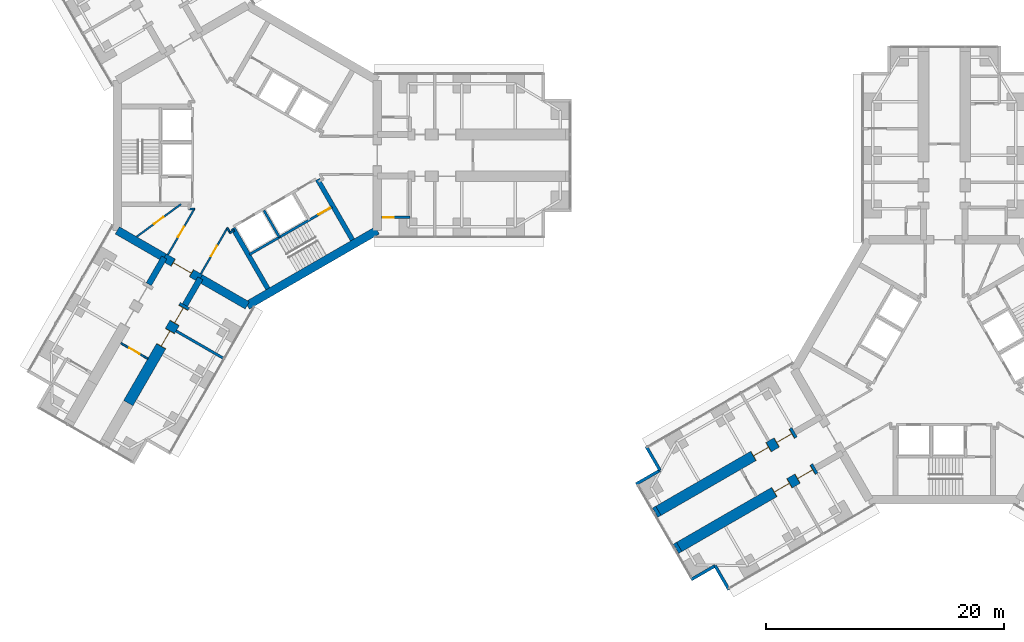
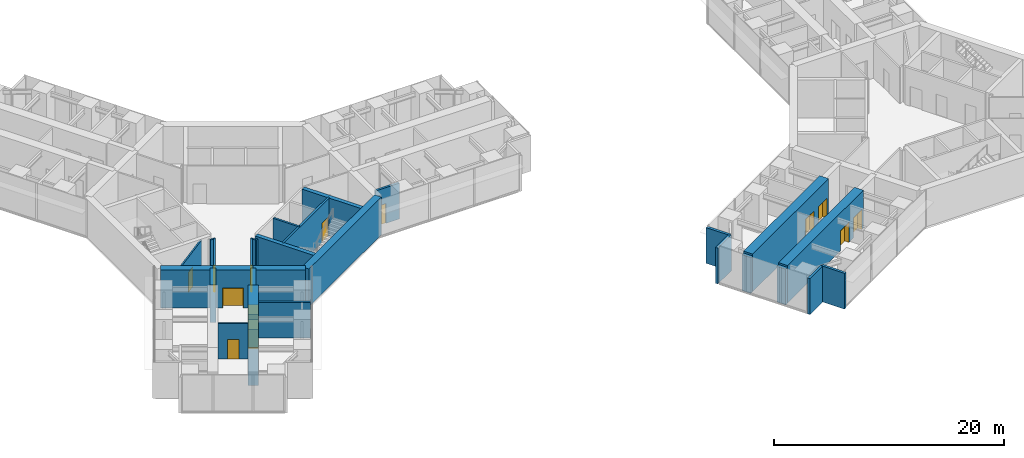
# One storey, part 16 of 23: 28 walls, 13 doors, 13 openings.
"""IFC4 building model written with IfcOpenShell, lengths in metres."""

from ifc_helpers import new_model, si_unit, direction, frame, frame_2d, origin, place, context, subcontext, project, spatial, rectangle, extrude, material, layer, layer_set, type_object, element, fill, save


model = new_model("IFC4")

# Units and contexts
model_context = context("Model", 3, precision=1e-05, world=origin(), true_north=direction((0.0, 1.0)))
body_context = subcontext(model_context, "Body", "Model", "MODEL_VIEW")
ifc_project = project(units=[si_unit("LENGTHUNIT", "METRE"), si_unit("AREAUNIT", "SQUARE_METRE"), si_unit("VOLUMEUNIT", "CUBIC_METRE"), si_unit("PLANEANGLEUNIT", "RADIAN"), si_unit("MASSUNIT", "GRAM", prefix="KILO")], contexts=[model_context])

# Site, building, storey
site_placement = place(None, origin())
site = spatial("IfcSite", under=ifc_project, at=site_placement, CompositionType="ELEMENT")
building_placement = place(site_placement, origin())
building = spatial("IfcBuilding", under=site, at=building_placement, Name="Upepo Twin Towers", CompositionType="ELEMENT")
storey_placement = place(building_placement, frame((0.0, 0.0, 24.5)))
storey = spatial("IfcBuildingStorey", under=building, at=storey_placement, Name="L05", CompositionType="ELEMENT", Elevation=24.5)

# Wall, opening, door
ifc_material_1 = material(Name="Concrete blockwork, plastered both faces", Category="masonry")
ifc_layer_1 = layer(ifc_material_1, 0.215087890625)
ifc_layer_set_1 = layer_set([ifc_layer_1], Name="Blockwork partition 215")
wall_type_1 = type_object("IfcWallType", Name="Blockwork partition 215", PredefinedType="PARTITIONING", material=ifc_layer_set_1)
wall_1_placement = place(storey_placement, frame((11.258056640625, -5.199951171875, 0.0), z_axis=(0.0, 0.0, 1.0), x_axis=(1.0, 0.0, 0.0)))
wall_1 = element("IfcWall", 1, at=wall_1_placement, inside=storey, type_object=wall_type_1, Name="T1 WC bay partition AR at 11.26", PredefinedType="PARTITIONING", context=body_context, shape_type="SweptSolid", body=[
    extrude(rectangle(XDim=2.39990234375, YDim=0.215087890625, at=frame_2d((1.199951171875, 0.0))), origin(), (0.0, 0.0, 1.0), 3.800048828125),
])
opening_1_placement = place(wall_1_placement, frame((0.14990234375, 0.0, 0.0)))
opening_1 = element("IfcOpeningElement", 2, at=opening_1_placement, cuts=wall_1, Name="Opening D14", PredefinedType="OPENING", context=body_context, shape_type="SweptSolid", body=[
    extrude(rectangle(XDim=0.89990234375, YDim=2.10009765625, at=frame_2d((0.449951171875, 1.050048828125))), frame((0.0, 0.117431640625, 0.0), z_axis=(0.0, -1.0, 0.0), x_axis=(1.0, 0.0, 0.0)), (0.0, 0.0, 1.0), 0.235107421875),
])
ifc_material_2 = material(Name="Timber doorset", Category="wood")
door_type_1 = type_object("IfcDoorType", Name="Office door 900 FD30", OperationType="SINGLE_SWING_LEFT", PredefinedType="DOOR", material=ifc_material_2)
door_1_placement = place(opening_1_placement, origin())
door_1 = element("IfcDoor", 3, at=door_1_placement, inside=storey, type_object=door_type_1, Name="T1 L05 WC bay inner room door", OperationType="SINGLE_SWING_LEFT", OverallHeight=2.10009765625, OverallWidth=0.89990234375, PredefinedType="DOOR", context=body_context, shape_type="SweptSolid", body=[
    extrude(rectangle(XDim=0.89990234375, YDim=2.10009765625, at=frame_2d((0.449951171875, 1.050048828125))), frame((0.0, 0.02490234375, 0.0), z_axis=(0.0, -1.0, 0.0), x_axis=(1.0, 0.0, 0.0)), (0.0, 0.0, 1.0), 0.050048828125),
])
fill(opening_1, door_1)

# Walls
wall_2_placement = place(storey_placement, frame((-5.9697265625, -14.739990234375, 0.0), z_axis=(0.0, 0.0, 1.0), x_axis=(0.866035472144, -0.499982560684, 0.0)))
element("IfcWall", 4, at=wall_2_placement, inside=storey, type_object=wall_type_1, Name="T1 partition CL at 15.75", PredefinedType="PARTITIONING", context=body_context, shape_type="SweptSolid", body=[
    extrude(rectangle(XDim=4.550048828125, YDim=0.215087890625, at=frame_2d((2.27490234375, 0.0))), origin(), (0.0, 0.0, 1.0), 3.800048828125),
])
ifc_material_3 = material(Name="Dense concrete blockwork", Category="masonry")
ifc_layer_2 = layer(ifc_material_3, 0.89990234375)
ifc_layer_set_2 = layer_set([ifc_layer_2], Name="Buttress closer 900, blockwork with fire-stopping to the curtain wall")
wall_type_2 = type_object("IfcWallType", Name="Buttress closer 900, blockwork with fire-stopping to the curtain wall", PredefinedType="PARTITIONING", material=ifc_layer_set_2)
for number, where, z_axis, x_axis, name in (
    (5, (36.252197265625, -32.865478515625, 0.0), (0.0, 0.0, 1.0), (-0.866054481515, -0.499949632511, 0.0), "T2 L05 wing B buttress closer L"),
    (6, (34.502197265625, -29.83447265625, 0.0), (0.0, 0.0, 1.0), (-0.866054481515, -0.499949632511, 0.0), "T2 L05 wing B buttress closer R"),
):
    element("IfcWall", number, at=place(storey_placement, frame(where, z_axis=z_axis, x_axis=x_axis)), inside=storey, type_object=wall_type_2, Name=name, PredefinedType="PARTITIONING", context=body_context, shape_type="SweptSolid", body=[
        extrude(rectangle(XDim=0.31005859375, YDim=0.89990234375, at=frame_2d((0.155029296875, 0.0))), origin(), (0.0, 0.0, 1.0), 3.800048828125),
    ])
ifc_material_4 = material(Name="Concrete C60/75", Category="concrete")
ifc_layer_3 = layer(ifc_material_4, 0.5)
ifc_layer_set_3 = layer_set([ifc_layer_3], Name="Concrete C60/75")
wall_type_3 = type_object("IfcWallType", Name="Buttress wall 500 RC", PredefinedType="SHEAR", material=ifc_layer_set_3)
for number, where, z_axis, x_axis, name in (
    (7, (-3.938720703125, -10.32177734375, 0.0), (0.0, 0.0, 1.0), (-0.499918158782, -0.866072649678, 0.0), "T1 wing C buttress wall L"),
    (8, (-6.9697265625, -8.57177734375, 0.0), (0.0, 0.0, 1.0), (-0.499988811324, -0.866031863473, 0.0), "T1 wing C buttress wall R"),
):
    element("IfcWall", number, at=place(storey_placement, frame(where, z_axis=z_axis, x_axis=x_axis)), inside=storey, type_object=wall_type_3, Name=name, PredefinedType="SHEAR", context=body_context, shape_type="SweptSolid", body=[
        extrude(rectangle(XDim=2.591796875, YDim=0.5, at=frame_2d((1.2958984375, 0.0))), origin(), (0.0, 0.0, 1.0), 4.0),
    ])

# Wall, openings, doors
ifc_material_5 = material(Name="Concrete C60/75", Category="concrete")
ifc_layer_4 = layer(ifc_material_5, 0.89990234375)
ifc_layer_set_4 = layer_set([ifc_layer_4], Name="Concrete C60/75")
wall_type_4 = type_object("IfcWallType", Name="Buttress wall 900 RC", PredefinedType="SHEAR", material=ifc_layer_set_4)
wall_3_placement = place(storey_placement, frame((-5.234375, -12.56640625, 0.0), z_axis=(0.0, 0.0, 1.0), x_axis=(-0.499997557548, -0.86602681393, 0.0)))
wall_3 = element("IfcWall", 9, at=wall_3_placement, inside=storey, type_object=wall_type_4, Name="T1 wing C buttress wall L part 2", PredefinedType="SHEAR", context=body_context, shape_type="SweptSolid", body=[
    extrude(rectangle(XDim=9.5, YDim=0.89990234375, at=frame_2d((4.75, 0.0))), origin(), (0.0, 0.0, 1.0), 4.0),
])
opening_2_placement = place(wall_3_placement, frame((0.25, 0.0, 0.0)))
opening_2 = element("IfcOpeningElement", 10, at=opening_2_placement, cuts=wall_3, Name="Opening D13", PredefinedType="OPENING", context=body_context, shape_type="SweptSolid", body=[
    extrude(rectangle(XDim=1.5, YDim=2.10009765625, at=frame_2d((0.75, 1.050048828125))), frame((0.0, 0.4599609375, 0.0), z_axis=(0.0, -1.0, 0.0), x_axis=(1.0, 0.0, 0.0)), (0.0, 0.0, 1.0), 0.919921875),
])
opening_3_placement = place(wall_3_placement, frame((2.5, 0.0, 0.0)))
opening_3 = element("IfcOpeningElement", 11, at=opening_3_placement, cuts=wall_3, Name="Opening D13", PredefinedType="OPENING", context=body_context, shape_type="SweptSolid", body=[
    extrude(rectangle(XDim=1.5, YDim=2.10009765625, at=frame_2d((0.75, 1.050048828125))), frame((0.0, 0.4599609375, 0.0), z_axis=(0.0, -1.0, 0.0), x_axis=(1.0, 0.0, 0.0)), (0.0, 0.0, 1.0), 0.919921875),
])
ifc_material_6 = material(Name="Timber doorset", Category="wood")
door_type_2 = type_object("IfcDoorType", Name="Double door 1500 FD30", OperationType="DOUBLE_DOOR_SINGLE_SWING", PredefinedType="DOOR", material=ifc_material_6)
door_2_placement = place(opening_2_placement, origin())
door_2 = element("IfcDoor", 12, at=door_2_placement, inside=storey, type_object=door_type_2, Name="T1 L05 laboratory prep room door", OperationType="DOUBLE_DOOR_SINGLE_SWING", OverallHeight=2.10009765625, OverallWidth=1.5, PredefinedType="DOOR", context=body_context, shape_type="SweptSolid", body=[
    extrude(rectangle(XDim=1.42, YDim=2.06009765625, at=frame_2d((0.75, 1.030029296875))), frame((0.0, 0.02490234375, 0.0), z_axis=(0.0, -1.0, 0.0), x_axis=(1.0, 0.0, 0.0)), (0.0, 0.0, 1.0), 0.050048828125),
    extrude(rectangle(XDim=0.04, YDim=2.10009765625, at=frame_2d((0.02001953125, 1.050048828125))), frame((0.0, 0.44970703125, 0.0), z_axis=(0.0, -1.0, 0.0), x_axis=(1.0, 0.0, 0.0)), (0.0, 0.0, 1.0), 0.8994140625),
    extrude(rectangle(XDim=0.04, YDim=2.10009765625, at=frame_2d((1.47998046875, 1.050048828125))), frame((0.0, 0.44970703125, 0.0), z_axis=(0.0, -1.0, 0.0), x_axis=(1.0, 0.0, 0.0)), (0.0, 0.0, 1.0), 0.8994140625),
    extrude(rectangle(XDim=1.42, YDim=0.04, at=frame_2d((0.75, 2.080078125))), frame((0.0, 0.44970703125, 0.0), z_axis=(0.0, -1.0, 0.0), x_axis=(1.0, 0.0, 0.0)), (0.0, 0.0, 1.0), 0.8994140625),
])
fill(opening_2, door_2)
door_3_placement = place(opening_3_placement, origin())
door_3 = element("IfcDoor", 13, at=door_3_placement, inside=storey, type_object=door_type_2, Name="T1 L05 teaching laboratory door", OperationType="DOUBLE_DOOR_SINGLE_SWING", OverallHeight=2.10009765625, OverallWidth=1.5, PredefinedType="DOOR", context=body_context, shape_type="SweptSolid", body=[
    extrude(rectangle(XDim=1.42, YDim=2.06009765625, at=frame_2d((0.75, 1.030029296875))), frame((0.0, 0.02490234375, 0.0), z_axis=(0.0, -1.0, 0.0), x_axis=(1.0, 0.0, 0.0)), (0.0, 0.0, 1.0), 0.050048828125),
    extrude(rectangle(XDim=0.04, YDim=2.10009765625, at=frame_2d((0.02001953125, 1.050048828125))), frame((0.0, 0.44970703125, 0.0), z_axis=(0.0, -1.0, 0.0), x_axis=(1.0, 0.0, 0.0)), (0.0, 0.0, 1.0), 0.8994140625),
    extrude(rectangle(XDim=0.04, YDim=2.10009765625, at=frame_2d((1.47998046875, 1.050048828125))), frame((0.0, 0.44970703125, 0.0), z_axis=(0.0, -1.0, 0.0), x_axis=(1.0, 0.0, 0.0)), (0.0, 0.0, 1.0), 0.8994140625),
    extrude(rectangle(XDim=1.42, YDim=0.04, at=frame_2d((0.75, 2.080078125))), frame((0.0, 0.44970703125, 0.0), z_axis=(0.0, -1.0, 0.0), x_axis=(1.0, 0.0, 0.0)), (0.0, 0.0, 1.0), 0.8994140625),
])
fill(opening_3, door_3)

wall_4_placement = place(storey_placement, frame((47.68359375, -26.265625, 0.0), z_axis=(0.0, 0.0, 1.0), x_axis=(-0.866027579429, -0.499996231654, 0.0)))
wall_4 = element("IfcWall", 14, at=wall_4_placement, inside=storey, type_object=wall_type_4, Name="T2 wing B buttress wall L part 2", PredefinedType="SHEAR", context=body_context, shape_type="SweptSolid", body=[
    extrude(rectangle(XDim=13.19970703125, YDim=0.89990234375, at=frame_2d((6.599853515625, 0.0))), origin(), (0.0, 0.0, 1.0), 4.0),
])
opening_4_placement = place(wall_4_placement, frame((0.25, 0.0, 0.0)))
opening_4 = element("IfcOpeningElement", 15, at=opening_4_placement, cuts=wall_4, Name="Opening D13", PredefinedType="OPENING", context=body_context, shape_type="SweptSolid", body=[
    extrude(rectangle(XDim=1.5, YDim=2.10009765625, at=frame_2d((0.75, 1.050048828125))), frame((0.0, 0.4599609375, 0.0), z_axis=(0.0, -1.0, 0.0), x_axis=(1.0, 0.0, 0.0)), (0.0, 0.0, 1.0), 0.919921875),
])
opening_5_placement = place(wall_4_placement, frame((2.5, 0.0, 0.0)))
opening_5 = element("IfcOpeningElement", 16, at=opening_5_placement, cuts=wall_4, Name="Opening D13", PredefinedType="OPENING", context=body_context, shape_type="SweptSolid", body=[
    extrude(rectangle(XDim=1.5, YDim=2.10009765625, at=frame_2d((0.75, 1.050048828125))), frame((0.0, 0.4599609375, 0.0), z_axis=(0.0, -1.0, 0.0), x_axis=(1.0, 0.0, 0.0)), (0.0, 0.0, 1.0), 0.919921875),
])
door_4_placement = place(opening_4_placement, origin())
door_4 = element("IfcDoor", 17, at=door_4_placement, inside=storey, type_object=door_type_2, Name="T2 L05 lecture room door", OperationType="DOUBLE_DOOR_SINGLE_SWING", OverallHeight=2.10009765625, OverallWidth=1.5, PredefinedType="DOOR", context=body_context, shape_type="SweptSolid", body=[
    extrude(rectangle(XDim=1.42, YDim=2.06009765625, at=frame_2d((0.75, 1.030029296875))), frame((0.0, 0.02490234375, 0.0), z_axis=(0.0, -1.0, 0.0), x_axis=(1.0, 0.0, 0.0)), (0.0, 0.0, 1.0), 0.050048828125),
    extrude(rectangle(XDim=0.04, YDim=2.10009765625, at=frame_2d((0.02001953125, 1.050048828125))), frame((0.0, 0.44970703125, 0.0), z_axis=(0.0, -1.0, 0.0), x_axis=(1.0, 0.0, 0.0)), (0.0, 0.0, 1.0), 0.8994140625),
    extrude(rectangle(XDim=0.04, YDim=2.10009765625, at=frame_2d((1.47998046875, 1.050048828125))), frame((0.0, 0.44970703125, 0.0), z_axis=(0.0, -1.0, 0.0), x_axis=(1.0, 0.0, 0.0)), (0.0, 0.0, 1.0), 0.8994140625),
    extrude(rectangle(XDim=1.42, YDim=0.04, at=frame_2d((0.75, 2.080078125))), frame((0.0, 0.44970703125, 0.0), z_axis=(0.0, -1.0, 0.0), x_axis=(1.0, 0.0, 0.0)), (0.0, 0.0, 1.0), 0.8994140625),
])
fill(opening_4, door_4)
door_5_placement = place(opening_5_placement, origin())
door_5 = element("IfcDoor", 18, at=door_5_placement, inside=storey, type_object=door_type_2, Name="T2 L05 lecture room door", OperationType="DOUBLE_DOOR_SINGLE_SWING", OverallHeight=2.10009765625, OverallWidth=1.5, PredefinedType="DOOR", context=body_context, shape_type="SweptSolid", body=[
    extrude(rectangle(XDim=1.42, YDim=2.06009765625, at=frame_2d((0.75, 1.030029296875))), frame((0.0, 0.02490234375, 0.0), z_axis=(0.0, -1.0, 0.0), x_axis=(1.0, 0.0, 0.0)), (0.0, 0.0, 1.0), 0.050048828125),
    extrude(rectangle(XDim=0.04, YDim=2.10009765625, at=frame_2d((0.02001953125, 1.050048828125))), frame((0.0, 0.44970703125, 0.0), z_axis=(0.0, -1.0, 0.0), x_axis=(1.0, 0.0, 0.0)), (0.0, 0.0, 1.0), 0.8994140625),
    extrude(rectangle(XDim=0.04, YDim=2.10009765625, at=frame_2d((1.47998046875, 1.050048828125))), frame((0.0, 0.44970703125, 0.0), z_axis=(0.0, -1.0, 0.0), x_axis=(1.0, 0.0, 0.0)), (0.0, 0.0, 1.0), 0.8994140625),
    extrude(rectangle(XDim=1.42, YDim=0.04, at=frame_2d((0.75, 2.080078125))), frame((0.0, 0.44970703125, 0.0), z_axis=(0.0, -1.0, 0.0), x_axis=(1.0, 0.0, 0.0)), (0.0, 0.0, 1.0), 0.8994140625),
])
fill(opening_5, door_5)

wall_5_placement = place(storey_placement, frame((45.93359375, -23.234375, 0.0), z_axis=(0.0, 0.0, 1.0), x_axis=(-0.866019570528, -0.500010103361, 0.0)))
wall_5 = element("IfcWall", 19, at=wall_5_placement, inside=storey, type_object=wall_type_4, Name="T2 wing B buttress wall R part 2", PredefinedType="SHEAR", context=body_context, shape_type="SweptSolid", body=[
    extrude(rectangle(XDim=13.199951171875, YDim=0.89990234375, at=frame_2d((6.60009765625, 0.0))), origin(), (0.0, 0.0, 1.0), 4.0),
])
opening_6_placement = place(wall_5_placement, frame((0.25, 0.0, 0.0)))
opening_6 = element("IfcOpeningElement", 20, at=opening_6_placement, cuts=wall_5, Name="Opening D13", PredefinedType="OPENING", context=body_context, shape_type="SweptSolid", body=[
    extrude(rectangle(XDim=1.5, YDim=2.10009765625, at=frame_2d((0.75, 1.050048828125))), frame((0.0, 0.4599609375, 0.0), z_axis=(0.0, -1.0, 0.0), x_axis=(1.0, 0.0, 0.0)), (0.0, 0.0, 1.0), 0.919921875),
])
opening_7_placement = place(wall_5_placement, frame((2.5, 0.0, 0.0)))
opening_7 = element("IfcOpeningElement", 21, at=opening_7_placement, cuts=wall_5, Name="Opening D13", PredefinedType="OPENING", context=body_context, shape_type="SweptSolid", body=[
    extrude(rectangle(XDim=1.5, YDim=2.10009765625, at=frame_2d((0.75, 1.050048828125))), frame((0.0, 0.4599609375, 0.0), z_axis=(0.0, -1.0, 0.0), x_axis=(1.0, 0.0, 0.0)), (0.0, 0.0, 1.0), 0.919921875),
])
door_6_placement = place(opening_6_placement, origin())
door_6 = element("IfcDoor", 22, at=door_6_placement, inside=storey, type_object=door_type_2, Name="T2 L05 tutorial room door", OperationType="DOUBLE_DOOR_SINGLE_SWING", OverallHeight=2.10009765625, OverallWidth=1.5, PredefinedType="DOOR", context=body_context, shape_type="SweptSolid", body=[
    extrude(rectangle(XDim=1.42, YDim=2.06009765625, at=frame_2d((0.75, 1.030029296875))), frame((0.0, 0.02490234375, 0.0), z_axis=(0.0, -1.0, 0.0), x_axis=(1.0, 0.0, 0.0)), (0.0, 0.0, 1.0), 0.050048828125),
    extrude(rectangle(XDim=0.04, YDim=2.10009765625, at=frame_2d((0.02001953125, 1.050048828125))), frame((0.0, 0.44970703125, 0.0), z_axis=(0.0, -1.0, 0.0), x_axis=(1.0, 0.0, 0.0)), (0.0, 0.0, 1.0), 0.8994140625),
    extrude(rectangle(XDim=0.04, YDim=2.10009765625, at=frame_2d((1.47998046875, 1.050048828125))), frame((0.0, 0.44970703125, 0.0), z_axis=(0.0, -1.0, 0.0), x_axis=(1.0, 0.0, 0.0)), (0.0, 0.0, 1.0), 0.8994140625),
    extrude(rectangle(XDim=1.42, YDim=0.04, at=frame_2d((0.75, 2.080078125))), frame((0.0, 0.44970703125, 0.0), z_axis=(0.0, -1.0, 0.0), x_axis=(1.0, 0.0, 0.0)), (0.0, 0.0, 1.0), 0.8994140625),
])
fill(opening_6, door_6)
door_7_placement = place(opening_7_placement, origin())
door_7 = element("IfcDoor", 23, at=door_7_placement, inside=storey, type_object=door_type_2, Name="T2 L05 lecture room door", OperationType="DOUBLE_DOOR_SINGLE_SWING", OverallHeight=2.10009765625, OverallWidth=1.5, PredefinedType="DOOR", context=body_context, shape_type="SweptSolid", body=[
    extrude(rectangle(XDim=1.42, YDim=2.06009765625, at=frame_2d((0.75, 1.030029296875))), frame((0.0, 0.02490234375, 0.0), z_axis=(0.0, -1.0, 0.0), x_axis=(1.0, 0.0, 0.0)), (0.0, 0.0, 1.0), 0.050048828125),
    extrude(rectangle(XDim=0.04, YDim=2.10009765625, at=frame_2d((0.02001953125, 1.050048828125))), frame((0.0, 0.44970703125, 0.0), z_axis=(0.0, -1.0, 0.0), x_axis=(1.0, 0.0, 0.0)), (0.0, 0.0, 1.0), 0.8994140625),
    extrude(rectangle(XDim=0.04, YDim=2.10009765625, at=frame_2d((1.47998046875, 1.050048828125))), frame((0.0, 0.44970703125, 0.0), z_axis=(0.0, -1.0, 0.0), x_axis=(1.0, 0.0, 0.0)), (0.0, 0.0, 1.0), 0.8994140625),
    extrude(rectangle(XDim=1.42, YDim=0.04, at=frame_2d((0.75, 2.080078125))), frame((0.0, 0.44970703125, 0.0), z_axis=(0.0, -1.0, 0.0), x_axis=(1.0, 0.0, 0.0)), (0.0, 0.0, 1.0), 0.8994140625),
])
fill(opening_7, door_7)

# Wall
ifc_material_7 = material(Name="Concrete C60/75", Category="concrete")
ifc_layer_5 = layer(ifc_material_7, 0.699951171875)
ifc_layer_set_5 = layer_set([ifc_layer_5], Name="Concrete C60/75")
wall_type_5 = type_object("IfcWallType", Name="Core wall 700 RC", PredefinedType="SHEAR", material=ifc_layer_set_5)
wall_6_placement = place(storey_placement, frame((-10.908447265625, -6.2978515625, 0.0), z_axis=(0.0, 0.0, 1.0), x_axis=(0.866034513004, -0.499984222037, 0.0)))
element("IfcWall", 24, at=wall_6_placement, inside=storey, type_object=wall_type_5, Name="T1 core wall 240 R", PredefinedType="SHEAR", context=body_context, shape_type="SweptSolid", body=[
    extrude(rectangle(XDim=4.548095703125, YDim=0.699951171875, at=frame_2d((2.27392578125, 0.0))), origin(), (0.0, 0.0, 1.0), 4.0),
])

# Wall, opening, door
wall_7_placement = place(storey_placement, frame((-6.9697265625, -8.57177734375, 0.0), z_axis=(0.0, 0.0, 1.0), x_axis=(0.866019471182, -0.500010275428, 0.0)))
wall_7 = element("IfcWall", 25, at=wall_7_placement, inside=storey, type_object=wall_type_5, Name="T1 core wall 240", PredefinedType="SHEAR", context=body_context, shape_type="SweptSolid", body=[
    extrude(rectangle(XDim=3.5, YDim=0.699951171875, at=frame_2d((1.75, 0.0))), origin(), (0.0, 0.0, 1.0), 4.0),
])
opening_8_placement = place(wall_7_placement, frame((0.85009765625, 0.0, 0.0)))
opening_8 = element("IfcOpeningElement", 26, at=opening_8_placement, cuts=wall_7, Name="Opening D2", PredefinedType="OPENING", context=body_context, shape_type="SweptSolid", body=[
    extrude(rectangle(XDim=1.800048828125, YDim=2.10009765625, at=frame_2d((0.89990234375, 1.050048828125))), frame((0.0, 0.35986328125, 0.0), z_axis=(0.0, -1.0, 0.0), x_axis=(1.0, 0.0, 0.0)), (0.0, 0.0, 1.0), 0.719970703125),
])
ifc_material_8 = material(Name="Timber doorset", Category="wood")
door_type_3 = type_object("IfcDoorType", Name="Corridor double door 1800 FD60", OperationType="DOUBLE_DOOR_DOUBLE_SWING", PredefinedType="DOOR", material=ifc_material_8)
door_8_placement = place(opening_8_placement, origin())
door_8 = element("IfcDoor", 27, at=door_8_placement, inside=storey, type_object=door_type_3, Name="T1 L05 wing C corridor door", OperationType="DOUBLE_DOOR_DOUBLE_SWING", OverallHeight=2.10009765625, OverallWidth=1.800048828125, PredefinedType="DOOR", context=body_context, shape_type="SweptSolid", body=[
    extrude(rectangle(XDim=1.720048828125, YDim=2.06009765625, at=frame_2d((0.89990234375, 1.030029296875))), frame((0.0, 0.02490234375, 0.0), z_axis=(0.0, -1.0, 0.0), x_axis=(1.0, 0.0, 0.0)), (0.0, 0.0, 1.0), 0.050048828125),
    extrude(rectangle(XDim=0.04, YDim=2.10009765625, at=frame_2d((0.02001953125, 1.050048828125))), frame((0.0, 0.349609375, 0.0), z_axis=(0.0, -1.0, 0.0), x_axis=(1.0, 0.0, 0.0)), (0.0, 0.0, 1.0), 0.699462890625),
    extrude(rectangle(XDim=0.04, YDim=2.10009765625, at=frame_2d((1.780029296875, 1.050048828125))), frame((0.0, 0.349609375, 0.0), z_axis=(0.0, -1.0, 0.0), x_axis=(1.0, 0.0, 0.0)), (0.0, 0.0, 1.0), 0.699462890625),
    extrude(rectangle(XDim=1.720048828125, YDim=0.04, at=frame_2d((0.89990234375, 2.080078125))), frame((0.0, 0.349609375, 0.0), z_axis=(0.0, -1.0, 0.0), x_axis=(1.0, 0.0, 0.0)), (0.0, 0.0, 1.0), 0.699462890625),
])
fill(opening_8, door_8)

# Walls
wall_8_placement = place(storey_placement, frame((-3.938720703125, -10.32177734375, 0.0), z_axis=(0.0, 0.0, 1.0), x_axis=(0.866011268655, -0.500024481964, 0.0)))
element("IfcWall", 28, at=wall_8_placement, inside=storey, type_object=wall_type_5, Name="T1 core wall 240 L", PredefinedType="SHEAR", context=body_context, shape_type="SweptSolid", body=[
    extrude(rectangle(XDim=4.548095703125, YDim=0.699951171875, at=frame_2d((2.27392578125, 0.0))), origin(), (0.0, 0.0, 1.0), 4.0),
])
wall_9_placement = place(storey_placement, frame((0.0, -12.595947265625, 0.0), z_axis=(0.0, 0.0, 1.0), x_axis=(0.866021940709, 0.500005998175, 0.0)))
element("IfcWall", 29, at=wall_9_placement, inside=storey, type_object=wall_type_5, Name="T1 core wall 300", PredefinedType="SHEAR", context=body_context, shape_type="SweptSolid", body=[
    extrude(rectangle(XDim=12.595947265625, YDim=0.699951171875, at=frame_2d((6.2978515625, 0.0))), origin(), (0.0, 0.0, 1.0), 4.0),
])
ifc_material_9 = material(Name="Blockwork with anodised aluminium cladding", Category="masonry")
ifc_layer_6 = layer(ifc_material_9, 0.25)
ifc_layer_set_6 = layer_set([ifc_layer_6], Name="Notch cladding wall 250, pale metal")
wall_type_6 = type_object("IfcWallType", Name="Notch cladding wall 250, pale metal", PredefinedType="STANDARD", material=ifc_layer_set_6)
for number, where, z_axis, x_axis, name in (
    (30, (40.4326171875, -36.456298828125, 0.0), (0.0, 0.0, 1.0), (-0.500046648681, 0.865998469481, 0.0), "T2 L05 wing B notch wall L1"),
    (31, (39.27001953125, -34.44287109375, 0.0), (0.0, 0.0, 1.0), (-0.865998469481, -0.500046648681, 0.0), "T2 L05 wing B notch wall L2"),
    (32, (33.482666015625, -24.418701171875, 0.0), (0.0, 0.0, 1.0), (0.499967891604, -0.866043940782, 0.0), "T2 L05 wing B notch wall R1"),
    (33, (34.64501953125, -26.43212890625, 0.0), (0.0, 0.0, 1.0), (-0.865998469481, -0.500046648681, 0.0), "T2 L05 wing B notch wall R2"),
):
    element("IfcWall", number, at=place(storey_placement, frame(where, z_axis=z_axis, x_axis=x_axis)), inside=storey, type_object=wall_type_6, Name=name, PredefinedType="STANDARD", context=body_context, shape_type="SweptSolid", body=[
        extrude(rectangle(XDim=2.324951171875, YDim=0.25, at=frame_2d((1.16259765625, 0.0))), origin(), (0.0, 0.0, 1.0), 3.800048828125),
    ])
ifc_material_10 = material(Name="Concrete C40/50", Category="concrete")
ifc_layer_7 = layer(ifc_material_10, 0.199951171875)
ifc_layer_set_7 = layer_set([ifc_layer_7], Name="Concrete C40/50")
wall_type_7 = type_object("IfcWallType", Name="Shaft wall 200 RC", PredefinedType="SHEAR", material=ifc_layer_set_7)
wall_10_placement = place(storey_placement, frame((1.3974609375, -4.620361328125, 0.0), z_axis=(0.0, 0.0, 1.0), x_axis=(0.499936506574, -0.866062058628, 0.0)))
element("IfcWall", 34, at=wall_10_placement, inside=storey, type_object=wall_type_7, Name="T1 core W300 shaft divider", PredefinedType="SHEAR", context=body_context, shape_type="SweptSolid", body=[
    extrude(rectangle(XDim=2.599853515625, YDim=0.199951171875, at=frame_2d((1.2998046875, 0.0))), origin(), (0.0, 0.0, 1.0), 4.0),
])

# Wall, opening, door
wall_11_placement = place(storey_placement, frame((0.185791015625, -8.322021484375, 0.0), z_axis=(0.0, 0.0, 1.0), x_axis=(0.866026010844, 0.49999894854, 0.0)))
wall_11 = element("IfcWall", 35, at=wall_11_placement, inside=storey, type_object=wall_type_7, Name="T1 core W300 stair wall", PredefinedType="SHEAR", context=body_context, shape_type="SweptSolid", body=[
    extrude(rectangle(XDim=8.0, YDim=0.199951171875, at=frame_2d((4.0, 0.0))), origin(), (0.0, 0.0, 1.0), 4.0),
])
opening_9_placement = place(wall_11_placement, frame((6.699951171875, 0.0, 0.0)))
opening_9 = element("IfcOpeningElement", 36, at=opening_9_placement, cuts=wall_11, Name="Opening D3", PredefinedType="OPENING", context=body_context, shape_type="SweptSolid", body=[
    extrude(rectangle(XDim=1.10009765625, YDim=2.10009765625, at=frame_2d((0.550048828125, 1.050048828125))), frame((0.0, 0.10986328125, 0.0), z_axis=(0.0, -1.0, 0.0), x_axis=(1.0, 0.0, 0.0)), (0.0, 0.0, 1.0), 0.219970703125),
])
ifc_material_11 = material(Name="Timber doorset", Category="wood")
door_type_4 = type_object("IfcDoorType", Name="Stair door 1100 FD60", OperationType="SINGLE_SWING_LEFT", PredefinedType="DOOR", material=ifc_material_11)
door_9_placement = place(opening_9_placement, origin())
door_9 = element("IfcDoor", 37, at=door_9_placement, inside=storey, type_object=door_type_4, Name="T1 L05 stair door", OperationType="SINGLE_SWING_RIGHT", OverallHeight=2.10009765625, OverallWidth=1.10009765625, PredefinedType="DOOR", context=body_context, shape_type="SweptSolid", body=[
    extrude(rectangle(XDim=1.10009765625, YDim=2.10009765625, at=frame_2d((0.550048828125, 1.050048828125))), frame((0.0, 0.02490234375, 0.0), z_axis=(0.0, -1.0, 0.0), x_axis=(1.0, 0.0, 0.0)), (0.0, 0.0, 1.0), 0.050048828125),
])
fill(opening_9, door_9)

# Walls
ifc_material_12 = material(Name="Concrete C40/50", Category="concrete")
ifc_layer_8 = layer(ifc_material_12, 0.39990234375)
ifc_layer_set_8 = layer_set([ifc_layer_8], Name="Concrete C40/50")
wall_type_8 = type_object("IfcWallType", Name="Shaft wall 400 RC", PredefinedType="SHEAR", material=ifc_layer_set_8)
for number, where, z_axis, x_axis, name in (
    (38, (5.900634765625, -2.020263671875, 0.0), (0.0, 0.0, 1.0), (0.500002627198, -0.866023886965, 0.0), "T1 core W300 side wall N"),
    (39, (-1.20068359375, -6.120361328125, 0.0), (0.0, 0.0, 1.0), (0.500002627198, -0.866023886965, 0.0), "T1 core W300 side wall S"),
):
    element("IfcWall", number, at=place(storey_placement, frame(where, z_axis=z_axis, x_axis=x_axis)), inside=storey, type_object=wall_type_8, Name=name, PredefinedType="SHEAR", context=body_context, shape_type="SweptSolid", body=[
        extrude(rectangle(XDim=5.8583984375, YDim=0.39990234375, at=frame_2d((2.92919921875, 0.0))), origin(), (0.0, 0.0, 1.0), 4.0),
    ])
ifc_material_13 = material(Name="Gypsum board on steel studs", Category="steel")
ifc_layer_9 = layer(ifc_material_13, 0.14990234375)
ifc_layer_set_9 = layer_set([ifc_layer_9], Name="Teaching partition 150 acoustic")
wall_type_9 = type_object("IfcWallType", Name="Teaching partition 150 acoustic", PredefinedType="PARTITIONING", material=ifc_layer_set_9)
wall_12_placement = place(storey_placement, frame((-1.092041015625, -6.28857421875, 0.0), z_axis=(0.0, 0.0, 1.0), x_axis=(-0.866138304741, -0.499804398801, 0.0)))
element("IfcWall", 40, at=wall_12_placement, inside=storey, type_object=wall_type_9, Name="T1 core room partition 2", PredefinedType="PARTITIONING", context=body_context, shape_type="SweptSolid", body=[
    extrude(rectangle(XDim=0.429931640625, YDim=0.14990234375, at=frame_2d((0.21484375, 0.0))), origin(), (0.0, 0.0, 1.0), 3.800048828125),
])
wall_13_placement = place(storey_placement, frame((-1.43701171875, -6.5107421875, 0.0), z_axis=(0.0, 0.0, 1.0), x_axis=(-0.50033519877, 0.865831790172, 0.0)))
element("IfcWall", 41, at=wall_13_placement, inside=storey, type_object=wall_type_9, Name="T1 core room partition 3", PredefinedType="PARTITIONING", context=body_context, shape_type="SweptSolid", body=[
    extrude(rectangle(XDim=0.494384765625, YDim=0.14990234375, at=frame_2d((0.2470703125, 0.0))), origin(), (0.0, 0.0, 1.0), 3.800048828125),
])

# Wall, opening, door
wall_14_placement = place(storey_placement, frame((-1.664306640625, -6.082763671875, 0.0), z_axis=(0.0, 0.0, 1.0), x_axis=(-0.499999927604, -0.866025445582, 0.0)))
wall_14 = element("IfcWall", 42, at=wall_14_placement, inside=storey, type_object=wall_type_9, Name="T1 core room partition 4", PredefinedType="PARTITIONING", context=body_context, shape_type="SweptSolid", body=[
    extrude(rectangle(XDim=4.46826171875, YDim=0.14990234375, at=frame_2d((2.234130859375, 0.0))), origin(), (0.0, 0.0, 1.0), 3.800048828125),
])
opening_10_placement = place(wall_14_placement, frame((1.744384765625, 0.0, 0.0)))
opening_10 = element("IfcOpeningElement", 43, at=opening_10_placement, cuts=wall_14, Name="Opening D1", PredefinedType="OPENING", context=body_context, shape_type="SweptSolid", body=[
    extrude(rectangle(XDim=1.0, YDim=2.10009765625, at=frame_2d((0.5, 1.050048828125))), frame((0.0, 0.0849609375, 0.0), z_axis=(0.0, -1.0, 0.0), x_axis=(1.0, 0.0, 0.0)), (0.0, 0.0, 1.0), 0.169921875),
])
ifc_material_14 = material(Name="Timber doorset", Category="wood")
door_type_5 = type_object("IfcDoorType", Name="Room door 1000 FD30", OperationType="SINGLE_SWING_LEFT", PredefinedType="DOOR", material=ifc_material_14)
door_10_placement = place(opening_10_placement, origin())
door_10 = element("IfcDoor", 44, at=door_10_placement, inside=storey, type_object=door_type_5, Name="T1 L05 core room door K3", OperationType="SINGLE_SWING_RIGHT", OverallHeight=2.10009765625, OverallWidth=1.0, PredefinedType="DOOR", context=body_context, shape_type="SweptSolid", body=[
    extrude(rectangle(XDim=1.0, YDim=2.10009765625, at=frame_2d((0.5, 1.050048828125))), frame((0.0, 0.02490234375, 0.0), z_axis=(0.0, -1.0, 0.0), x_axis=(1.0, 0.0, 0.0)), (0.0, 0.0, 1.0), 0.050048828125),
])
fill(opening_10, door_10)

wall_15_placement = place(storey_placement, frame((-6.669921875, -8.3525390625, 0.0), z_axis=(0.0, 0.0, 1.0), x_axis=(0.500017246033, 0.866015446554, 0.0)))
wall_15 = element("IfcWall", 45, at=wall_15_placement, inside=storey, type_object=wall_type_9, Name="T1 core room partition 5", PredefinedType="PARTITIONING", context=body_context, shape_type="SweptSolid", body=[
    extrude(rectangle(XDim=4.468505859375, YDim=0.14990234375, at=frame_2d((2.234375, 0.0))), origin(), (0.0, 0.0, 1.0), 3.800048828125),
])
opening_11_placement = place(wall_15_placement, frame((1.72412109375, 0.0, 0.0)))
opening_11 = element("IfcOpeningElement", 46, at=opening_11_placement, cuts=wall_15, Name="Opening D1", PredefinedType="OPENING", context=body_context, shape_type="SweptSolid", body=[
    extrude(rectangle(XDim=1.0, YDim=2.10009765625, at=frame_2d((0.5, 1.050048828125))), frame((0.0, 0.0849609375, 0.0), z_axis=(0.0, -1.0, 0.0), x_axis=(1.0, 0.0, 0.0)), (0.0, 0.0, 1.0), 0.169921875),
])
door_11_placement = place(opening_11_placement, origin())
door_11 = element("IfcDoor", 47, at=door_11_placement, inside=storey, type_object=door_type_5, Name="T1 L05 core room door K2", OperationType="SINGLE_SWING_LEFT", OverallHeight=2.10009765625, OverallWidth=1.0, PredefinedType="DOOR", context=body_context, shape_type="SweptSolid", body=[
    extrude(rectangle(XDim=1.0, YDim=2.10009765625, at=frame_2d((0.5, 1.050048828125))), frame((0.0, 0.02490234375, 0.0), z_axis=(0.0, -1.0, 0.0), x_axis=(1.0, 0.0, 0.0)), (0.0, 0.0, 1.0), 0.050048828125),
])
fill(opening_11, door_11)

# Wall
wall_16_placement = place(storey_placement, frame((-4.425537109375, -4.5, 0.0), z_axis=(0.0, 0.0, 1.0), x_axis=(-1.0, 0.0, 0.0)))
element("IfcWall", 48, at=wall_16_placement, inside=storey, type_object=wall_type_9, Name="T1 core room partition 6", PredefinedType="PARTITIONING", context=body_context, shape_type="SweptSolid", body=[
    extrude(rectangle(XDim=0.494384765625, YDim=0.14990234375, at=frame_2d((0.2470703125, 0.0))), origin(), (0.0, 0.0, 1.0), 3.800048828125),
])

# Wall, opening, door
wall_17_placement = place(storey_placement, frame((-5.57373046875, -4.10009765625, 0.0), z_axis=(0.0, 0.0, 1.0), x_axis=(-0.805553580125, -0.592522935884, 0.0)))
wall_17 = element("IfcWall", 49, at=wall_17_placement, inside=storey, type_object=wall_type_9, Name="T1 core room partition 19", PredefinedType="PARTITIONING", context=body_context, shape_type="SweptSolid", body=[
    extrude(rectangle(XDim=4.608154296875, YDim=0.14990234375, at=frame_2d((2.30419921875, 0.0))), origin(), (0.0, 0.0, 1.0), 3.800048828125),
])
opening_12_placement = place(wall_17_placement, frame((1.80419921875, 0.0, 0.0)))
opening_12 = element("IfcOpeningElement", 50, at=opening_12_placement, cuts=wall_17, Name="Opening D1", PredefinedType="OPENING", context=body_context, shape_type="SweptSolid", body=[
    extrude(rectangle(XDim=1.0, YDim=2.10009765625, at=frame_2d((0.5, 1.050048828125))), frame((0.0, 0.0849609375, 0.0), z_axis=(0.0, -1.0, 0.0), x_axis=(1.0, 0.0, 0.0)), (0.0, 0.0, 1.0), 0.169921875),
])
door_12_placement = place(opening_12_placement, origin())
door_12 = element("IfcDoor", 51, at=door_12_placement, inside=storey, type_object=door_type_5, Name="T1 L05 core room door K1", OperationType="SINGLE_SWING_LEFT", OverallHeight=2.10009765625, OverallWidth=1.0, PredefinedType="DOOR", context=body_context, shape_type="SweptSolid", body=[
    extrude(rectangle(XDim=1.0, YDim=2.10009765625, at=frame_2d((0.5, 1.050048828125))), frame((0.0, 0.02490234375, 0.0), z_axis=(0.0, -1.0, 0.0), x_axis=(1.0, 0.0, 0.0)), (0.0, 0.0, 1.0), 0.050048828125),
])
fill(opening_12, door_12)

wall_18_placement = place(storey_placement, frame((-10.600830078125, -15.76123046875, 0.0), z_axis=(0.0, 0.0, 1.0), x_axis=(0.866021400173, -0.500006934395, 0.0)))
wall_18 = element("IfcWall", 52, at=wall_18_placement, inside=storey, type_object=wall_type_9, Name="T1 corridor end partition C at 18.95", PredefinedType="PARTITIONING", context=body_context, shape_type="SweptSolid", body=[
    extrude(rectangle(XDim=2.60009765625, YDim=0.14990234375, at=frame_2d((1.300048828125, 0.0))), origin(), (0.0, 0.0, 1.0), 3.800048828125),
])
opening_13_placement = place(wall_18_placement, frame((0.800048828125, 0.0, 0.0)))
opening_13 = element("IfcOpeningElement", 53, at=opening_13_placement, cuts=wall_18, Name="Opening D1", PredefinedType="OPENING", context=body_context, shape_type="SweptSolid", body=[
    extrude(rectangle(XDim=1.0, YDim=2.10009765625, at=frame_2d((0.5, 1.050048828125))), frame((0.0, 0.0849609375, 0.0), z_axis=(0.0, -1.0, 0.0), x_axis=(1.0, 0.0, 0.0)), (0.0, 0.0, 1.0), 0.169921875),
])
door_13_placement = place(opening_13_placement, origin())
door_13 = element("IfcDoor", 54, at=door_13_placement, inside=storey, type_object=door_type_5, Name="T1 L05 breakout study room door", OperationType="SINGLE_SWING_LEFT", OverallHeight=2.10009765625, OverallWidth=1.0, PredefinedType="DOOR", context=body_context, shape_type="SweptSolid", body=[
    extrude(rectangle(XDim=1.0, YDim=2.10009765625, at=frame_2d((0.5, 1.050048828125))), frame((0.0, 0.02490234375, 0.0), z_axis=(0.0, -1.0, 0.0), x_axis=(1.0, 0.0, 0.0)), (0.0, 0.0, 1.0), 0.050048828125),
])
fill(opening_13, door_13)

save(model, "model.ifc")
